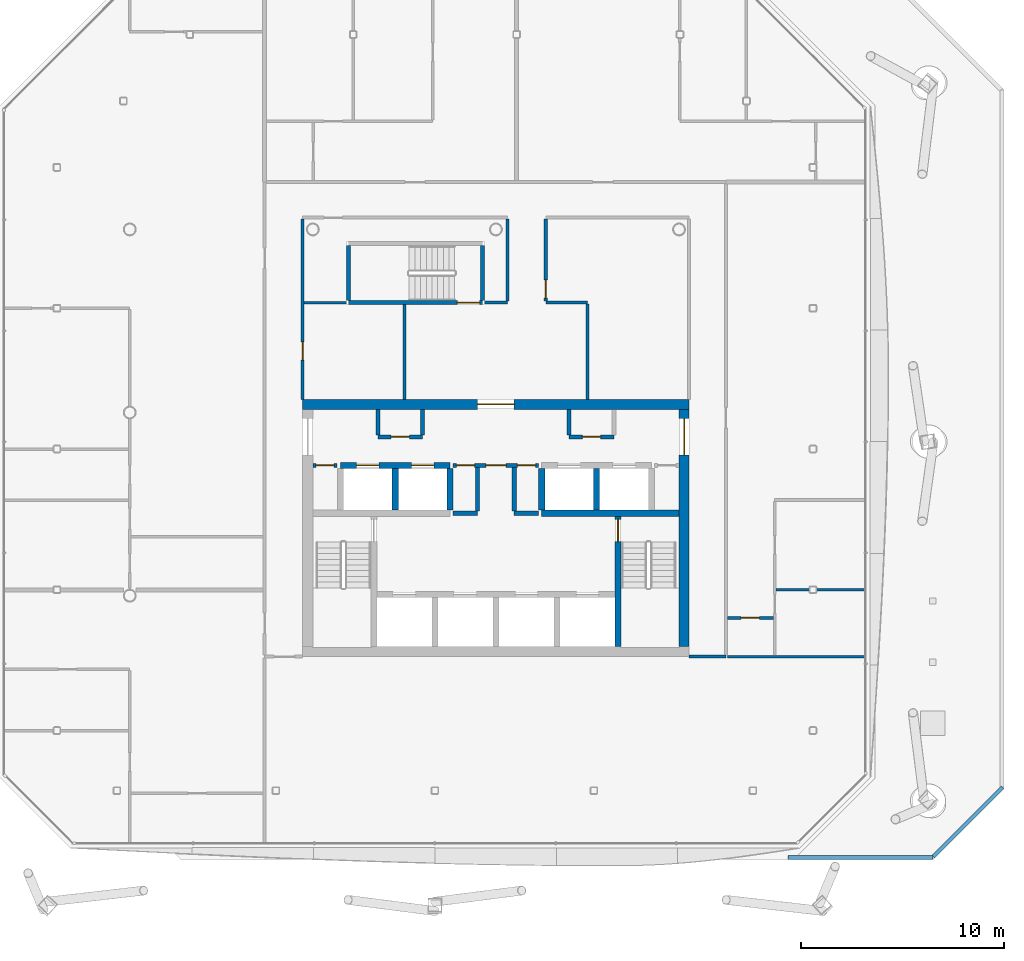
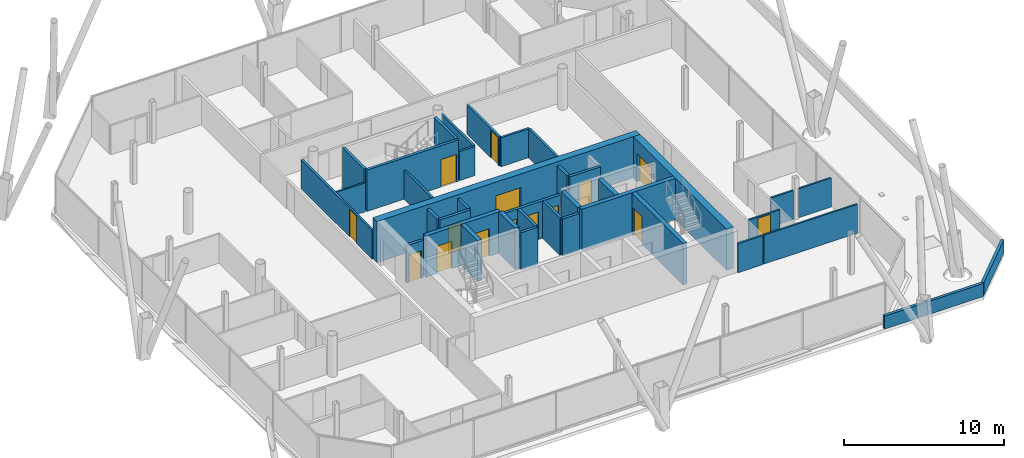
# One storey, part 14 of 21: 38 walls, 15 doors, 15 openings.
"""IFC4 building model written with IfcOpenShell, lengths in metres."""

from ifc_helpers import new_model, si_unit, direction, frame, frame_2d, origin, place, context, subcontext, project, spatial, rectangle, extrude, material, layer, layer_set, type_object, element, fill, save


model = new_model("IFC4")

# Units and contexts
model_context = context("Model", 3, precision=1e-05, world=origin(), true_north=direction((0.0, 1.0)))
body_context = subcontext(model_context, "Body", "Model", "MODEL_VIEW")
ifc_project = project(units=[si_unit("LENGTHUNIT", "METRE"), si_unit("AREAUNIT", "SQUARE_METRE"), si_unit("VOLUMEUNIT", "CUBIC_METRE"), si_unit("PLANEANGLEUNIT", "RADIAN"), si_unit("MASSUNIT", "GRAM", prefix="KILO")], contexts=[model_context])

# Site, building, storey
site_placement = place(None, origin())
site = spatial("IfcSite", under=ifc_project, at=site_placement, CompositionType="ELEMENT")
building_placement = place(site_placement, origin())
building = spatial("IfcBuilding", under=site, at=building_placement, Name="Tskaro Facet Tower", CompositionType="ELEMENT")
storey_placement = place(building_placement, frame((0.0, 0.0, 172.199951171875)))
storey = spatial("IfcBuildingStorey", under=building, at=storey_placement, Name="L42", CompositionType="ELEMENT", Elevation=172.199951171875)

# Wall
ifc_material_1 = material(Name="Concrete C60/75", Category="concrete")
ifc_layer_1 = layer(ifc_material_1, 0.300048828125, Name="Concrete C60/75")
ifc_layer_set_1 = layer_set([ifc_layer_1], Name="Concrete C60/75")
wall_type_1 = type_object("IfcWallType", Name="CORE-SHAFT", PredefinedType="SHEAR", material=ifc_layer_set_1)
wall_1_placement = place(storey_placement, frame((2.25, -4.949951171875, 0.0), z_axis=(0.0, 0.0, 1.0), x_axis=(1.0, 0.0, 0.0)))
element("IfcWall", 1, at=wall_1_placement, inside=storey, type_object=wall_type_1, Name="Shaft wall W019", PredefinedType="SHEAR", context=body_context, shape_type="SweptSolid", body=[
    extrude(rectangle(XDim=6.75, YDim=0.300048828125, at=frame_2d((3.375, 0.0))), origin(), (0.0, 0.0, 1.0), 3.150146484375),
])

# Wall, openings, doors
wall_2_placement = place(storey_placement, frame((-7.64990234375, -2.60009765625, 0.0), z_axis=(0.0, 0.0, 1.0), x_axis=(1.0, 0.0, 0.0)))
wall_2 = element("IfcWall", 2, at=wall_2_placement, inside=storey, type_object=wall_type_1, Name="Shaft wall W023", PredefinedType="SHEAR", context=body_context, shape_type="SweptSolid", body=[
    extrude(rectangle(XDim=5.39990234375, YDim=0.300048828125, at=frame_2d((2.699951171875, 0.0))), origin(), (0.0, 0.0, 1.0), 3.150146484375),
])
opening_1_placement = place(wall_2_placement, frame((0.800048828125, 0.0, 0.0)))
opening_1 = element("IfcOpeningElement", 3, at=opening_1_placement, cuts=wall_2, Name="Opening LD-HB1", PredefinedType="OPENING", context=body_context, shape_type="SweptSolid", body=[
    extrude(rectangle(XDim=1.10009765625, YDim=2.10009765625, at=frame_2d((0.550048828125, 1.050048828125))), frame((0.0, 0.159912109375, 0.0), z_axis=(0.0, -1.0, 0.0), x_axis=(1.0, 0.0, 0.0)), (0.0, 0.0, 1.0), 0.320068359375),
])
opening_2_placement = place(wall_2_placement, frame((3.5, 0.0, 0.0)))
opening_2 = element("IfcOpeningElement", 4, at=opening_2_placement, cuts=wall_2, Name="Opening LD-HB2", PredefinedType="OPENING", context=body_context, shape_type="SweptSolid", body=[
    extrude(rectangle(XDim=1.10009765625, YDim=2.10009765625, at=frame_2d((0.550048828125, 1.050048828125))), frame((0.0, 0.159912109375, 0.0), z_axis=(0.0, -1.0, 0.0), x_axis=(1.0, 0.0, 0.0)), (0.0, 0.0, 1.0), 0.320068359375),
])
ifc_material_2 = material(Name="Stainless steel", Category="steel")
door_type_1 = type_object("IfcDoorType", Name="D-LANDING", OperationType="NOTDEFINED", PredefinedType="DOOR", material=ifc_material_2)
door_1_placement = place(opening_1_placement, origin())
door_1 = element("IfcDoor", 5, at=door_1_placement, inside=storey, type_object=door_type_1, Name="Landing door HB1", OperationType="DOUBLE_DOOR_SLIDING", OverallHeight=2.10009765625, OverallWidth=1.10009765625, PredefinedType="DOOR", context=body_context, shape_type="SweptSolid", body=[
    extrude(rectangle(XDim=1.10009765625, YDim=2.10009765625, at=frame_2d((0.550048828125, 1.050048828125))), frame((0.0, 0.02490234375, 0.0), z_axis=(0.0, -1.0, 0.0), x_axis=(1.0, 0.0, 0.0)), (0.0, 0.0, 1.0), 0.050048828125),
])
fill(opening_1, door_1)
door_2_placement = place(opening_2_placement, origin())
door_2 = element("IfcDoor", 6, at=door_2_placement, inside=storey, type_object=door_type_1, Name="Landing door HB2", OperationType="DOUBLE_DOOR_SLIDING", OverallHeight=2.10009765625, OverallWidth=1.10009765625, PredefinedType="DOOR", context=body_context, shape_type="SweptSolid", body=[
    extrude(rectangle(XDim=1.10009765625, YDim=2.10009765625, at=frame_2d((0.550048828125, 1.050048828125))), frame((0.0, 0.02490234375, 0.0), z_axis=(0.0, -1.0, 0.0), x_axis=(1.0, 0.0, 0.0)), (0.0, 0.0, 1.0), 0.050048828125),
])
fill(opening_2, door_2)

# Walls
for number, where, z_axis, x_axis, name in (
    (7, (-4.949951171875, -4.800048828125, 0.0), (0.0, 0.0, 1.0), (0.0, 1.0, 0.0), "Shaft wall W061"),
    (8, (-2.25, -4.800048828125, 0.0), (0.0, 0.0, 1.0), (0.0, 1.0, 0.0), "Shaft wall W066"),
    (9, (2.25, -4.800048828125, 0.0), (0.0, 0.0, 1.0), (0.0, 1.0, 0.0), "Shaft wall W074"),
    (10, (4.949951171875, -4.800048828125, 0.0), (0.0, 0.0, 1.0), (0.0, 1.0, 0.0), "Shaft wall W079"),
):
    element("IfcWall", number, at=place(storey_placement, frame(where, z_axis=z_axis, x_axis=x_axis)), inside=storey, type_object=wall_type_1, Name=name, PredefinedType="SHEAR", context=body_context, shape_type="SweptSolid", body=[
        extrude(rectangle(XDim=2.050048828125, YDim=0.300048828125, at=frame_2d((1.02490234375, 0.0))), origin(), (0.0, 0.0, 1.0), 3.150146484375),
    ])

# Wall, opening, door
wall_3_placement = place(storey_placement, frame((6.0, -5.10009765625, 0.0), z_axis=(0.0, 0.0, 1.0), x_axis=(0.0, -1.0, 0.0)))
wall_3 = element("IfcWall", 11, at=wall_3_placement, inside=storey, type_object=wall_type_1, Name="Shaft wall W081", PredefinedType="SHEAR", context=body_context, shape_type="SweptSolid", body=[
    extrude(rectangle(XDim=6.39990234375, YDim=0.300048828125, at=frame_2d((3.199951171875, 0.0))), origin(), (0.0, 0.0, 1.0), 3.150146484375),
])
opening_3_placement = place(wall_3_placement, frame((0.14990234375, 0.0, 0.0)))
opening_3 = element("IfcOpeningElement", 12, at=opening_3_placement, cuts=wall_3, Name="Opening ST-2-D1", PredefinedType="OPENING", context=body_context, shape_type="SweptSolid", body=[
    extrude(rectangle(XDim=1.10009765625, YDim=2.10009765625, at=frame_2d((0.550048828125, 1.050048828125))), frame((0.0, 0.159912109375, 0.0), z_axis=(0.0, -1.0, 0.0), x_axis=(1.0, 0.0, 0.0)), (0.0, 0.0, 1.0), 0.320068359375),
])
ifc_material_3 = material(Name="Steel", Category="steel")
door_type_2 = type_object("IfcDoorType", Name="D-STAIR", OperationType="NOTDEFINED", PredefinedType="DOOR", material=ifc_material_3)
door_3_placement = place(opening_3_placement, origin())
door_3 = element("IfcDoor", 13, at=door_3_placement, inside=storey, type_object=door_type_2, Name="Stair door 2", OperationType="SINGLE_SWING_RIGHT", OverallHeight=2.10009765625, OverallWidth=1.10009765625, PredefinedType="DOOR", context=body_context, shape_type="SweptSolid", body=[
    extrude(rectangle(XDim=1.10009765625, YDim=2.10009765625, at=frame_2d((0.550048828125, 1.050048828125))), frame((0.0, 0.02490234375, 0.0), z_axis=(0.0, -1.0, 0.0), x_axis=(1.0, 0.0, 0.0)), (0.0, 0.0, 1.0), 0.050048828125),
])
fill(opening_3, door_3)

# Walls
ifc_material_4 = material(Name="Concrete C20/25", Category="concrete")
ifc_layer_2 = layer(ifc_material_4, 0.199951171875, Name="Concrete C20/25")
ifc_layer_set_2 = layer_set([ifc_layer_2], Name="Concrete C20/25")
wall_type_2 = type_object("IfcWallType", Name="CORE-WALL", PredefinedType="SOLIDWALL", material=ifc_layer_set_2)
for number, where, z_axis, x_axis, name in (
    (14, (-2.10009765625, -4.949951171875, 0.0), (0.0, 0.0, 1.0), (1.0, 0.0, 0.0), "Core room wall W017"),
    (15, (0.89990234375, -4.949951171875, 0.0), (0.0, 0.0, 1.0), (1.0, 0.0, 0.0), "Core room wall W018"),
):
    element("IfcWall", number, at=place(storey_placement, frame(where, z_axis=z_axis, x_axis=x_axis)), inside=storey, type_object=wall_type_2, Name=name, PredefinedType="SOLIDWALL", context=body_context, shape_type="SweptSolid", body=[
        extrude(rectangle(XDim=1.2001953125, YDim=0.199951171875, at=frame_2d((0.60009765625, 0.0))), origin(), (0.0, 0.0, 1.0), 2.85009765625),
    ])

# Wall, opening, door
wall_4_placement = place(storey_placement, frame((-7.800048828125, -2.60009765625, 0.0), z_axis=(0.0, 0.0, 1.0), x_axis=(-1.0, 0.0, 0.0)))
wall_4 = element("IfcWall", 16, at=wall_4_placement, inside=storey, type_object=wall_type_2, Name="Core room wall W022", PredefinedType="SOLIDWALL", context=body_context, shape_type="SweptSolid", body=[
    extrude(rectangle(XDim=1.199951171875, YDim=0.199951171875, at=frame_2d((0.60009765625, 0.0))), origin(), (0.0, 0.0, 1.0), 2.85009765625),
])
opening_4_placement = place(wall_4_placement, frame((0.14990234375, 0.0, 0.0)))
opening_4 = element("IfcOpeningElement", 17, at=opening_4_placement, cuts=wall_4, Name="Opening T12-D12", PredefinedType="OPENING", context=body_context, shape_type="SweptSolid", body=[
    extrude(rectangle(XDim=0.89990234375, YDim=2.10009765625, at=frame_2d((0.449951171875, 1.050048828125))), frame((0.0, 0.10986328125, 0.0), z_axis=(0.0, -1.0, 0.0), x_axis=(1.0, 0.0, 0.0)), (0.0, 0.0, 1.0), 0.219970703125),
])
ifc_material_5 = material(Name="Timber", Category="wood")
door_type_3 = type_object("IfcDoorType", Name="D-ROOM", OperationType="NOTDEFINED", PredefinedType="DOOR", material=ifc_material_5)
door_4_placement = place(opening_4_placement, origin())
door_4 = element("IfcDoor", 18, at=door_4_placement, inside=storey, type_object=door_type_3, Name="Door T12-D12", OperationType="SINGLE_SWING_RIGHT", OverallHeight=2.10009765625, OverallWidth=0.89990234375, PredefinedType="DOOR", context=body_context, shape_type="SweptSolid", body=[
    extrude(rectangle(XDim=0.89990234375, YDim=2.10009765625, at=frame_2d((0.449951171875, 1.050048828125))), frame((0.0, 0.02490234375, 0.0), z_axis=(0.0, -1.0, 0.0), x_axis=(1.0, 0.0, 0.0)), (0.0, 0.0, 1.0), 0.050048828125),
])
fill(opening_4, door_4)

# Wall, openings, doors
wall_5_placement = place(storey_placement, frame((2.10009765625, -2.60009765625, 0.0), z_axis=(0.0, 0.0, 1.0), x_axis=(-1.0, 0.0, 0.0)))
wall_5 = element("IfcWall", 19, at=wall_5_placement, inside=storey, type_object=wall_type_2, Name="Core room wall W024", PredefinedType="SOLIDWALL", context=body_context, shape_type="SweptSolid", body=[
    extrude(rectangle(XDim=4.2001953125, YDim=0.199951171875, at=frame_2d((2.10009765625, 0.0))), origin(), (0.0, 0.0, 1.0), 2.85009765625),
])
opening_5_placement = place(wall_5_placement, frame((1.60009765625, 0.0, 0.0)))
opening_5 = element("IfcOpeningElement", 20, at=opening_5_placement, cuts=wall_5, Name="Opening FL-D1", PredefinedType="OPENING", context=body_context, shape_type="SweptSolid", body=[
    extrude(rectangle(XDim=1.0, YDim=2.10009765625, at=frame_2d((0.5, 1.050048828125))), frame((0.0, 0.10986328125, 0.0), z_axis=(0.0, -1.0, 0.0), x_axis=(1.0, 0.0, 0.0)), (0.0, 0.0, 1.0), 0.219970703125),
])
opening_6_placement = place(wall_5_placement, frame((3.14990234375, 0.0, 0.0)))
opening_6 = element("IfcOpeningElement", 21, at=opening_6_placement, cuts=wall_5, Name="Opening T12-D13", PredefinedType="OPENING", context=body_context, shape_type="SweptSolid", body=[
    extrude(rectangle(XDim=0.89990234375, YDim=2.10009765625, at=frame_2d((0.449951171875, 1.050048828125))), frame((0.0, 0.10986328125, 0.0), z_axis=(0.0, -1.0, 0.0), x_axis=(1.0, 0.0, 0.0)), (0.0, 0.0, 1.0), 0.219970703125),
])
opening_7_placement = place(wall_5_placement, frame((0.14990234375, 0.0, 0.0)))
opening_7 = element("IfcOpeningElement", 22, at=opening_7_placement, cuts=wall_5, Name="Opening T12-D14", PredefinedType="OPENING", context=body_context, shape_type="SweptSolid", body=[
    extrude(rectangle(XDim=0.89990234375, YDim=2.10009765625, at=frame_2d((0.449951171875, 1.050048828125))), frame((0.0, 0.10986328125, 0.0), z_axis=(0.0, -1.0, 0.0), x_axis=(1.0, 0.0, 0.0)), (0.0, 0.0, 1.0), 0.219970703125),
])
door_type_4 = type_object("IfcDoorType", Name="D-LOBBY", OperationType="NOTDEFINED", PredefinedType="DOOR", material=ifc_material_3)
door_5_placement = place(opening_5_placement, origin())
door_5 = element("IfcDoor", 23, at=door_5_placement, inside=storey, type_object=door_type_4, Name="Lobby door FL", OperationType="SINGLE_SWING_RIGHT", OverallHeight=2.10009765625, OverallWidth=1.0, PredefinedType="DOOR", context=body_context, shape_type="SweptSolid", body=[
    extrude(rectangle(XDim=1.0, YDim=2.10009765625, at=frame_2d((0.5, 1.050048828125))), frame((0.0, 0.02490234375, 0.0), z_axis=(0.0, -1.0, 0.0), x_axis=(1.0, 0.0, 0.0)), (0.0, 0.0, 1.0), 0.050048828125),
])
fill(opening_5, door_5)
door_6_placement = place(opening_6_placement, origin())
door_6 = element("IfcDoor", 24, at=door_6_placement, inside=storey, type_object=door_type_3, Name="Door T12-D13", OperationType="SINGLE_SWING_RIGHT", OverallHeight=2.10009765625, OverallWidth=0.89990234375, PredefinedType="DOOR", context=body_context, shape_type="SweptSolid", body=[
    extrude(rectangle(XDim=0.89990234375, YDim=2.10009765625, at=frame_2d((0.449951171875, 1.050048828125))), frame((0.0, 0.02490234375, 0.0), z_axis=(0.0, -1.0, 0.0), x_axis=(1.0, 0.0, 0.0)), (0.0, 0.0, 1.0), 0.050048828125),
])
fill(opening_6, door_6)
door_7_placement = place(opening_7_placement, origin())
door_7 = element("IfcDoor", 25, at=door_7_placement, inside=storey, type_object=door_type_3, Name="Door T12-D14", OperationType="SINGLE_SWING_RIGHT", OverallHeight=2.10009765625, OverallWidth=0.89990234375, PredefinedType="DOOR", context=body_context, shape_type="SweptSolid", body=[
    extrude(rectangle(XDim=0.89990234375, YDim=2.10009765625, at=frame_2d((0.449951171875, 1.050048828125))), frame((0.0, 0.02490234375, 0.0), z_axis=(0.0, -1.0, 0.0), x_axis=(1.0, 0.0, 0.0)), (0.0, 0.0, 1.0), 0.050048828125),
])
fill(opening_7, door_7)

# Wall, opening, door
wall_6_placement = place(storey_placement, frame((-5.800048828125, -1.199951171875, 0.0), z_axis=(0.0, 0.0, 1.0), x_axis=(1.0, 0.0, 0.0)))
wall_6 = element("IfcWall", 26, at=wall_6_placement, inside=storey, type_object=wall_type_2, Name="Core room wall W029", PredefinedType="SOLIDWALL", context=body_context, shape_type="SweptSolid", body=[
    extrude(rectangle(XDim=2.199951171875, YDim=0.199951171875, at=frame_2d((1.10009765625, 0.0))), origin(), (0.0, 0.0, 1.0), 2.85009765625),
])
opening_8_placement = place(wall_6_placement, frame((0.64990234375, 0.0, 0.0)))
opening_8 = element("IfcOpeningElement", 27, at=opening_8_placement, cuts=wall_6, Name="Opening T12-D17", PredefinedType="OPENING", context=body_context, shape_type="SweptSolid", body=[
    extrude(rectangle(XDim=0.89990234375, YDim=2.10009765625, at=frame_2d((0.449951171875, 1.050048828125))), frame((0.0, 0.10986328125, 0.0), z_axis=(0.0, -1.0, 0.0), x_axis=(1.0, 0.0, 0.0)), (0.0, 0.0, 1.0), 0.219970703125),
])
door_8_placement = place(opening_8_placement, origin())
door_8 = element("IfcDoor", 28, at=door_8_placement, inside=storey, type_object=door_type_3, Name="Door T12-D17", OperationType="SINGLE_SWING_LEFT", OverallHeight=2.10009765625, OverallWidth=0.89990234375, PredefinedType="DOOR", context=body_context, shape_type="SweptSolid", body=[
    extrude(rectangle(XDim=0.89990234375, YDim=2.10009765625, at=frame_2d((0.449951171875, 1.050048828125))), frame((0.0, 0.02490234375, 0.0), z_axis=(0.0, -1.0, 0.0), x_axis=(1.0, 0.0, 0.0)), (0.0, 0.0, 1.0), 0.050048828125),
])
fill(opening_8, door_8)

wall_7_placement = place(storey_placement, frame((3.60009765625, -1.199951171875, 0.0), z_axis=(0.0, 0.0, 1.0), x_axis=(1.0, 0.0, 0.0)))
wall_7 = element("IfcWall", 29, at=wall_7_placement, inside=storey, type_object=wall_type_2, Name="Core room wall W030", PredefinedType="SOLIDWALL", context=body_context, shape_type="SweptSolid", body=[
    extrude(rectangle(XDim=2.199951171875, YDim=0.199951171875, at=frame_2d((1.10009765625, 0.0))), origin(), (0.0, 0.0, 1.0), 2.85009765625),
])
opening_9_placement = place(wall_7_placement, frame((0.64990234375, 0.0, 0.0)))
opening_9 = element("IfcOpeningElement", 30, at=opening_9_placement, cuts=wall_7, Name="Opening T12-D18", PredefinedType="OPENING", context=body_context, shape_type="SweptSolid", body=[
    extrude(rectangle(XDim=0.89990234375, YDim=2.10009765625, at=frame_2d((0.449951171875, 1.050048828125))), frame((0.0, 0.10986328125, 0.0), z_axis=(0.0, -1.0, 0.0), x_axis=(1.0, 0.0, 0.0)), (0.0, 0.0, 1.0), 0.219970703125),
])
door_9_placement = place(opening_9_placement, origin())
door_9 = element("IfcDoor", 31, at=door_9_placement, inside=storey, type_object=door_type_3, Name="Door T12-D18", OperationType="SINGLE_SWING_LEFT", OverallHeight=2.10009765625, OverallWidth=0.89990234375, PredefinedType="DOOR", context=body_context, shape_type="SweptSolid", body=[
    extrude(rectangle(XDim=0.89990234375, YDim=2.10009765625, at=frame_2d((0.449951171875, 1.050048828125))), frame((0.0, 0.02490234375, 0.0), z_axis=(0.0, -1.0, 0.0), x_axis=(1.0, 0.0, 0.0)), (0.0, 0.0, 1.0), 0.050048828125),
])
fill(opening_9, door_9)

# Walls
for number, where, z_axis, x_axis, name in (
    (32, (-5.800048828125, -1.10009765625, 0.0), (0.0, 0.0, 1.0), (0.0, 1.0, 0.0), "Core room wall W060"),
    (33, (-3.60009765625, -1.10009765625, 0.0), (0.0, 0.0, 1.0), (0.0, 1.0, 0.0), "Core room wall W063"),
):
    element("IfcWall", number, at=place(storey_placement, frame(where, z_axis=z_axis, x_axis=x_axis)), inside=storey, type_object=wall_type_2, Name=name, PredefinedType="SOLIDWALL", context=body_context, shape_type="SweptSolid", body=[
        extrude(rectangle(XDim=1.25, YDim=0.199951171875, at=frame_2d((0.625, 0.0))), origin(), (0.0, 0.0, 1.0), 2.85009765625),
    ])
for number, where, z_axis, x_axis, name in (
    (34, (-0.89990234375, -4.85009765625, 0.0), (0.0, 0.0, 1.0), (0.0, 1.0, 0.0), "Core room wall W067"),
    (35, (0.89990234375, -4.85009765625, 0.0), (0.0, 0.0, 1.0), (0.0, 1.0, 0.0), "Core room wall W071"),
):
    element("IfcWall", number, at=place(storey_placement, frame(where, z_axis=z_axis, x_axis=x_axis)), inside=storey, type_object=wall_type_2, Name=name, PredefinedType="SOLIDWALL", context=body_context, shape_type="SweptSolid", body=[
        extrude(rectangle(XDim=2.150146484375, YDim=0.199951171875, at=frame_2d((1.0751953125, 0.0))), origin(), (0.0, 0.0, 1.0), 2.85009765625),
    ])
wall_8_placement = place(storey_placement, frame((3.60009765625, -1.10009765625, 0.0), z_axis=(0.0, 0.0, 1.0), x_axis=(0.0, 1.0, 0.0)))
element("IfcWall", 36, at=wall_8_placement, inside=storey, type_object=wall_type_2, Name="Core room wall W077", PredefinedType="SOLIDWALL", context=body_context, shape_type="SweptSolid", body=[
    extrude(rectangle(XDim=1.25, YDim=0.199951171875, at=frame_2d((0.625, 0.0))), origin(), (0.0, 0.0, 1.0), 2.85009765625),
])

# Wall, opening, door
ifc_material_6 = material(Name="Concrete C40/50", Category="concrete")
ifc_layer_3 = layer(ifc_material_6, 0.5, Name="Concrete C40/50")
ifc_layer_set_3 = layer_set([ifc_layer_3], Name="Concrete C40/50")
wall_type_3 = type_object("IfcWallType", Name="Core wall 500", PredefinedType="SHEAR", material=ifc_layer_set_3)
wall_9_placement = place(storey_placement, frame((-9.5, 0.39990234375, 0.0), z_axis=(0.0, 0.0, 1.0), x_axis=(1.0, 0.0, 0.0)))
wall_9 = element("IfcWall", 37, at=wall_9_placement, inside=storey, type_object=wall_type_3, Name="Core wall CW-Z3N", PredefinedType="SHEAR", context=body_context, shape_type="SweptSolid", body=[
    extrude(rectangle(XDim=19.0, YDim=0.5, at=frame_2d((9.5, 0.0))), origin(), (0.0, 0.0, 1.0), 3.150146484375),
])
opening_10_placement = place(wall_9_placement, frame((8.60009765625, 0.0, 0.0)))
opening_10 = element("IfcOpeningElement", 38, at=opening_10_placement, cuts=wall_9, Name="Opening T12-D21", PredefinedType="OPENING", context=body_context, shape_type="SweptSolid", body=[
    extrude(rectangle(XDim=1.800048828125, YDim=2.10009765625, at=frame_2d((0.89990234375, 1.050048828125))), frame((0.0, 0.260009765625, 0.0), z_axis=(0.0, -1.0, 0.0), x_axis=(1.0, 0.0, 0.0)), (0.0, 0.0, 1.0), 0.52001953125),
])
door_type_5 = type_object("IfcDoorType", Name="D-CORE-PAIR", OperationType="NOTDEFINED", PredefinedType="DOOR", material=ifc_material_3)
door_10_placement = place(opening_10_placement, origin())
door_10 = element("IfcDoor", 39, at=door_10_placement, inside=storey, type_object=door_type_5, Name="Door T12-D21", OperationType="DOUBLE_DOOR_SINGLE_SWING", OverallHeight=2.10009765625, OverallWidth=1.800048828125, PredefinedType="DOOR", context=body_context, shape_type="SweptSolid", body=[
    extrude(rectangle(XDim=1.800048828125, YDim=2.10009765625, at=frame_2d((0.89990234375, 1.050048828125))), frame((0.0, 0.02490234375, 0.0), z_axis=(0.0, -1.0, 0.0), x_axis=(1.0, 0.0, 0.0)), (0.0, 0.0, 1.0), 0.050048828125),
])
fill(opening_10, door_10)

wall_10_placement = place(storey_placement, frame((9.25, -11.5, 0.0), z_axis=(0.0, 0.0, 1.0), x_axis=(0.0, 1.0, 0.0)))
wall_10 = element("IfcWall", 40, at=wall_10_placement, inside=storey, type_object=wall_type_3, Name="Core wall CW-Z3E", PredefinedType="SHEAR", context=body_context, shape_type="SweptSolid", body=[
    extrude(rectangle(XDim=11.64990234375, YDim=0.5, at=frame_2d((5.824951171875, 0.0))), origin(), (0.0, 0.0, 1.0), 3.150146484375),
])
opening_11_placement = place(wall_10_placement, frame((9.39990234375, 0.0, 0.0)))
opening_11 = element("IfcOpeningElement", 41, at=opening_11_placement, cuts=wall_10, Name="Opening T12-D19", PredefinedType="OPENING", context=body_context, shape_type="SweptSolid", body=[
    extrude(rectangle(XDim=1.800048828125, YDim=2.10009765625, at=frame_2d((0.89990234375, 1.050048828125))), frame((0.0, 0.260009765625, 0.0), z_axis=(0.0, -1.0, 0.0), x_axis=(1.0, 0.0, 0.0)), (0.0, 0.0, 1.0), 0.52001953125),
])
door_11_placement = place(opening_11_placement, origin())
door_11 = element("IfcDoor", 42, at=door_11_placement, inside=storey, type_object=door_type_5, Name="Door T12-D19", OperationType="DOUBLE_DOOR_SINGLE_SWING", OverallHeight=2.10009765625, OverallWidth=1.800048828125, PredefinedType="DOOR", context=body_context, shape_type="SweptSolid", body=[
    extrude(rectangle(XDim=1.800048828125, YDim=2.10009765625, at=frame_2d((0.89990234375, 1.050048828125))), frame((0.0, 0.02490234375, 0.0), z_axis=(0.0, -1.0, 0.0), x_axis=(1.0, 0.0, 0.0)), (0.0, 0.0, 1.0), 0.050048828125),
])
fill(opening_11, door_11)

# Wall
ifc_material_7 = material(Name="Gypsum board on steel studs", Category="steel")
ifc_layer_4 = layer(ifc_material_7, 0.125, Name="Gypsum board on steel studs")
ifc_layer_set_4 = layer_set([ifc_layer_4], Name="Gypsum board on steel studs")
wall_type_4 = type_object("IfcWallType", Name="PART", PredefinedType="PARTITIONING", material=ifc_layer_set_4)
wall_11_placement = place(storey_placement, frame((11.375, -12.0, 0.0), z_axis=(0.0, 0.0, 1.0), x_axis=(1.0, 0.0, 0.0)))
element("IfcWall", 43, at=wall_11_placement, inside=storey, type_object=wall_type_4, Name="Partition W007", PredefinedType="PARTITIONING", context=body_context, shape_type="SweptSolid", body=[
    extrude(rectangle(XDim=6.75, YDim=0.125, at=frame_2d((3.375, 0.0))), origin(), (0.0, 0.0, 1.0), 2.2099609375),
])

# Wall, opening, door
wall_12_placement = place(storey_placement, frame((13.637451171875, -10.10009765625, 0.0), z_axis=(0.0, 0.0, 1.0), x_axis=(-1.0, 0.0, 0.0)))
wall_12 = element("IfcWall", 44, at=wall_12_placement, inside=storey, type_object=wall_type_4, Name="Partition W008", PredefinedType="PARTITIONING", context=body_context, shape_type="SweptSolid", body=[
    extrude(rectangle(XDim=2.262451171875, YDim=0.125, at=frame_2d((1.13134765625, 0.0))), origin(), (0.0, 0.0, 1.0), 2.2099609375),
])
opening_12_placement = place(wall_12_placement, frame((0.6875, 0.0, 0.0)))
opening_12 = element("IfcOpeningElement", 45, at=opening_12_placement, cuts=wall_12, Name="Opening T12-D06", PredefinedType="OPENING", context=body_context, shape_type="SweptSolid", body=[
    extrude(rectangle(XDim=0.89990234375, YDim=2.10009765625, at=frame_2d((0.449951171875, 1.050048828125))), frame((0.0, 0.072509765625, 0.0), z_axis=(0.0, -1.0, 0.0), x_axis=(1.0, 0.0, 0.0)), (0.0, 0.0, 1.0), 0.14501953125),
])
door_12_placement = place(opening_12_placement, origin())
door_12 = element("IfcDoor", 46, at=door_12_placement, inside=storey, type_object=door_type_3, Name="Door T12-D06", OperationType="SINGLE_SWING_RIGHT", OverallHeight=2.10009765625, OverallWidth=0.89990234375, PredefinedType="DOOR", context=body_context, shape_type="SweptSolid", body=[
    extrude(rectangle(XDim=0.89990234375, YDim=2.10009765625, at=frame_2d((0.449951171875, 1.050048828125))), frame((0.0, 0.02490234375, 0.0), z_axis=(0.0, -1.0, 0.0), x_axis=(1.0, 0.0, 0.0)), (0.0, 0.0, 1.0), 0.050048828125),
])
fill(opening_12, door_12)

# Walls
wall_13_placement = place(storey_placement, frame((13.762451171875, -8.715087890625, 0.0), z_axis=(0.0, 0.0, 1.0), x_axis=(1.0, 0.0, 0.0)))
element("IfcWall", 47, at=wall_13_placement, inside=storey, type_object=wall_type_4, Name="Partition W013", PredefinedType="PARTITIONING", context=body_context, shape_type="SweptSolid", body=[
    extrude(rectangle(XDim=1.6455078125, YDim=0.125, at=frame_2d((0.82275390625, 0.0))), origin(), (0.0, 0.0, 1.0), 2.2099609375),
])
wall_14_placement = place(storey_placement, frame((15.758056640625, -8.715087890625, 0.0), z_axis=(0.0, 0.0, 1.0), x_axis=(1.0, 0.0, 0.0)))
element("IfcWall", 48, at=wall_14_placement, inside=storey, type_object=wall_type_4, Name="Partition W014", PredefinedType="PARTITIONING", context=body_context, shape_type="SweptSolid", body=[
    extrude(rectangle(XDim=2.366943359375, YDim=0.125, at=frame_2d((1.18359375, 0.0))), origin(), (0.0, 0.0, 1.0), 2.2099609375),
])
wall_15_placement = place(storey_placement, frame((-9.425048828125, 5.39990234375, 0.0), z_axis=(0.0, 0.0, 1.0), x_axis=(1.0, 0.0, 0.0)))
element("IfcWall", 49, at=wall_15_placement, inside=storey, type_object=wall_type_4, Name="Partition W033", PredefinedType="PARTITIONING", context=body_context, shape_type="SweptSolid", body=[
    extrude(rectangle(XDim=2.074951171875, YDim=0.125, at=frame_2d((1.03759765625, 0.0))), origin(), (0.0, 0.0, 1.0), 2.2099609375),
])
ifc_layer_5 = layer(ifc_material_7, 0.14990234375, Name="Gypsum board on steel studs")
ifc_layer_set_5 = layer_set([ifc_layer_5], Name="Gypsum board on steel studs")
wall_type_5 = type_object("IfcWallType", Name="PART-CORR", PredefinedType="PARTITIONING", material=ifc_layer_set_5)
wall_16_placement = place(storey_placement, frame((9.5, -12.0, 0.0), z_axis=(0.0, 0.0, 1.0), x_axis=(1.0, 0.0, 0.0)))
element("IfcWall", 50, at=wall_16_placement, inside=storey, type_object=wall_type_5, Name="Corridor wall W006", PredefinedType="PARTITIONING", context=body_context, shape_type="SweptSolid", body=[
    extrude(rectangle(XDim=1.800048828125, YDim=0.14990234375, at=frame_2d((0.89990234375, 0.0))), origin(), (0.0, 0.0, 1.0), 2.2099609375),
])
wall_17_placement = place(storey_placement, frame((-0.550048828125, 5.39990234375, 0.0), z_axis=(0.0, 0.0, 1.0), x_axis=(1.0, 0.0, 0.0)))
element("IfcWall", 51, at=wall_17_placement, inside=storey, type_object=wall_type_5, Name="Corridor wall W035", PredefinedType="PARTITIONING", context=body_context, shape_type="SweptSolid", body=[
    extrude(rectangle(XDim=1.125, YDim=0.14990234375, at=frame_2d((0.5625, 0.0))), origin(), (0.0, 0.0, 1.0), 2.2099609375),
])
wall_18_placement = place(storey_placement, frame((2.449951171875, 5.39990234375, 0.0), z_axis=(0.0, 0.0, 1.0), x_axis=(1.0, 0.0, 0.0)))
element("IfcWall", 52, at=wall_18_placement, inside=storey, type_object=wall_type_5, Name="Corridor wall W036", PredefinedType="PARTITIONING", context=body_context, shape_type="SweptSolid", body=[
    extrude(rectangle(XDim=2.050048828125, YDim=0.14990234375, at=frame_2d((1.02490234375, 0.0))), origin(), (0.0, 0.0, 1.0), 2.2099609375),
])

# Wall, opening, door
wall_19_placement = place(storey_placement, frame((-9.5, 9.5, 0.0), z_axis=(0.0, 0.0, 1.0), x_axis=(0.0, -1.0, 0.0)))
wall_19 = element("IfcWall", 53, at=wall_19_placement, inside=storey, type_object=wall_type_5, Name="Corridor wall W053", PredefinedType="PARTITIONING", context=body_context, shape_type="SweptSolid", body=[
    extrude(rectangle(XDim=8.85009765625, YDim=0.14990234375, at=frame_2d((4.425048828125, 0.0))), origin(), (0.0, 0.0, 1.0), 2.2099609375),
])
opening_13_placement = place(wall_19_placement, frame((6.02490234375, 0.0, 0.0)))
opening_13 = element("IfcOpeningElement", 54, at=opening_13_placement, cuts=wall_19, Name="Opening T12-D22", PredefinedType="OPENING", context=body_context, shape_type="SweptSolid", body=[
    extrude(rectangle(XDim=0.89990234375, YDim=2.10009765625, at=frame_2d((0.449951171875, 1.050048828125))), frame((0.0, 0.0849609375, 0.0), z_axis=(0.0, -1.0, 0.0), x_axis=(1.0, 0.0, 0.0)), (0.0, 0.0, 1.0), 0.169921875),
])
door_13_placement = place(opening_13_placement, origin())
door_13 = element("IfcDoor", 55, at=door_13_placement, inside=storey, type_object=door_type_3, Name="Door T12-D22", OperationType="SINGLE_SWING_RIGHT", OverallHeight=2.10009765625, OverallWidth=0.89990234375, PredefinedType="DOOR", context=body_context, shape_type="SweptSolid", body=[
    extrude(rectangle(XDim=0.89990234375, YDim=2.10009765625, at=frame_2d((0.449951171875, 1.050048828125))), frame((0.0, 0.02490234375, 0.0), z_axis=(0.0, -1.0, 0.0), x_axis=(1.0, 0.0, 0.0)), (0.0, 0.0, 1.0), 0.050048828125),
])
fill(opening_13, door_13)

# Walls
wall_20_placement = place(storey_placement, frame((-4.5, 0.64990234375, 0.0), z_axis=(0.0, 0.0, 1.0), x_axis=(0.0, 1.0, 0.0)))
element("IfcWall", 56, at=wall_20_placement, inside=storey, type_object=wall_type_5, Name="Corridor wall W062", PredefinedType="PARTITIONING", context=body_context, shape_type="SweptSolid", body=[
    extrude(rectangle(XDim=4.650146484375, YDim=0.14990234375, at=frame_2d((2.3251953125, 0.0))), origin(), (0.0, 0.0, 1.0), 2.2099609375),
])
wall_21_placement = place(storey_placement, frame((0.574951171875, 5.47509765625, 0.0), z_axis=(0.0, 0.0, 1.0), x_axis=(0.0, 1.0, 0.0)))
element("IfcWall", 57, at=wall_21_placement, inside=storey, type_object=wall_type_5, Name="Corridor wall W070", PredefinedType="PARTITIONING", context=body_context, shape_type="SweptSolid", body=[
    extrude(rectangle(XDim=4.02490234375, YDim=0.14990234375, at=frame_2d((2.012451171875, 0.0))), origin(), (0.0, 0.0, 1.0), 2.2099609375),
])

# Wall, opening, door
wall_22_placement = place(storey_placement, frame((2.449951171875, 9.5, 0.0), z_axis=(0.0, 0.0, 1.0), x_axis=(0.0, -1.0, 0.0)))
wall_22 = element("IfcWall", 58, at=wall_22_placement, inside=storey, type_object=wall_type_5, Name="Corridor wall W075", PredefinedType="PARTITIONING", context=body_context, shape_type="SweptSolid", body=[
    extrude(rectangle(XDim=4.02490234375, YDim=0.14990234375, at=frame_2d((2.012451171875, 0.0))), origin(), (0.0, 0.0, 1.0), 2.2099609375),
])
opening_14_placement = place(wall_22_placement, frame((2.97509765625, 0.0, 0.0)))
opening_14 = element("IfcOpeningElement", 59, at=opening_14_placement, cuts=wall_22, Name="Opening T12-D24", PredefinedType="OPENING", context=body_context, shape_type="SweptSolid", body=[
    extrude(rectangle(XDim=0.89990234375, YDim=2.10009765625, at=frame_2d((0.449951171875, 1.050048828125))), frame((0.0, 0.0849609375, 0.0), z_axis=(0.0, -1.0, 0.0), x_axis=(1.0, 0.0, 0.0)), (0.0, 0.0, 1.0), 0.169921875),
])
door_14_placement = place(opening_14_placement, origin())
door_14 = element("IfcDoor", 60, at=door_14_placement, inside=storey, type_object=door_type_3, Name="Door T12-D24", OperationType="SINGLE_SWING_RIGHT", OverallHeight=2.10009765625, OverallWidth=0.89990234375, PredefinedType="DOOR", context=body_context, shape_type="SweptSolid", body=[
    extrude(rectangle(XDim=0.89990234375, YDim=2.10009765625, at=frame_2d((0.449951171875, 1.050048828125))), frame((0.0, 0.02490234375, 0.0), z_axis=(0.0, -1.0, 0.0), x_axis=(1.0, 0.0, 0.0)), (0.0, 0.0, 1.0), 0.050048828125),
])
fill(opening_14, door_14)

# Walls
wall_23_placement = place(storey_placement, frame((4.5, 0.64990234375, 0.0), z_axis=(0.0, 0.0, 1.0), x_axis=(0.0, 1.0, 0.0)))
element("IfcWall", 61, at=wall_23_placement, inside=storey, type_object=wall_type_5, Name="Corridor wall W078", PredefinedType="PARTITIONING", context=body_context, shape_type="SweptSolid", body=[
    extrude(rectangle(XDim=4.675048828125, YDim=0.14990234375, at=frame_2d((2.33740234375, 0.0))), origin(), (0.0, 0.0, 1.0), 2.2099609375),
])
ifc_material_8 = material(Name="Precast concrete C40/50", Category="concrete")
ifc_layer_6 = layer(ifc_material_8, 0.199951171875, Name="Precast concrete C40/50")
ifc_layer_set_6 = layer_set([ifc_layer_6], Name="Precast concrete C40/50")
wall_type_6 = type_object("IfcWallType", Name="Roof parapet", PredefinedType="PARAPET", material=ifc_layer_set_6)
wall_24_placement = place(storey_placement, frame((14.35595703125, -21.8740234375, 0.0), z_axis=(0.0, 0.0, 1.0), x_axis=(1.0, 0.0, 0.0)))
element("IfcWall", 62, at=wall_24_placement, inside=storey, type_object=wall_type_6, Name="Roof parapet L42 1.1", PredefinedType="PARAPET", context=body_context, shape_type="SweptSolid", body=[
    extrude(rectangle(XDim=7.14013671875, YDim=0.199951171875, at=frame_2d((3.570068359375, 0.0))), origin(), (0.0, 0.0, 1.0), 1.0),
])
wall_25_placement = place(storey_placement, frame((21.49609375, -21.83251953125, 0.0), z_axis=(0.0, 0.0, 1.0), x_axis=(0.707106781187, 0.707106781187, 0.0)))
element("IfcWall", 63, at=wall_25_placement, inside=storey, type_object=wall_type_6, Name="Roof parapet L42 1.2", PredefinedType="PARAPET", context=body_context, shape_type="SweptSolid", body=[
    extrude(rectangle(XDim=4.818603515625, YDim=0.199951171875, at=frame_2d((2.4091796875, 0.0))), origin(), (0.0, 0.0, 1.0), 1.0),
])

# Wall, opening, door
ifc_layer_7 = layer(ifc_material_1, 0.199951171875, Name="Concrete C60/75")
ifc_layer_set_7 = layer_set([ifc_layer_7], Name="Concrete C60/75")
wall_type_7 = type_object("IfcWallType", Name="STAIR-WALL", PredefinedType="SHEAR", material=ifc_layer_set_7)
wall_26_placement = place(storey_placement, frame((-7.25, 5.39990234375, 0.0), z_axis=(0.0, 0.0, 1.0), x_axis=(1.0, 0.0, 0.0)))
wall_26 = element("IfcWall", 64, at=wall_26_placement, inside=storey, type_object=wall_type_7, Name="Stair wall W034", PredefinedType="SHEAR", context=body_context, shape_type="SweptSolid", body=[
    extrude(rectangle(XDim=6.60009765625, YDim=0.199951171875, at=frame_2d((3.300048828125, 0.0))), origin(), (0.0, 0.0, 1.0), 3.150146484375),
])
opening_15_placement = place(wall_26_placement, frame((5.35009765625, 0.0, 0.0)))
opening_15 = element("IfcOpeningElement", 65, at=opening_15_placement, cuts=wall_26, Name="Opening ST-3-D1", PredefinedType="OPENING", context=body_context, shape_type="SweptSolid", body=[
    extrude(rectangle(XDim=1.10009765625, YDim=2.10009765625, at=frame_2d((0.550048828125, 1.050048828125))), frame((0.0, 0.10986328125, 0.0), z_axis=(0.0, -1.0, 0.0), x_axis=(1.0, 0.0, 0.0)), (0.0, 0.0, 1.0), 0.219970703125),
])
door_15_placement = place(opening_15_placement, origin())
door_15 = element("IfcDoor", 66, at=door_15_placement, inside=storey, type_object=door_type_2, Name="Stair door 3", OperationType="SINGLE_SWING_LEFT", OverallHeight=2.10009765625, OverallWidth=1.10009765625, PredefinedType="DOOR", context=body_context, shape_type="SweptSolid", body=[
    extrude(rectangle(XDim=1.10009765625, YDim=2.10009765625, at=frame_2d((0.550048828125, 1.050048828125))), frame((0.0, 0.02490234375, 0.0), z_axis=(0.0, -1.0, 0.0), x_axis=(1.0, 0.0, 0.0)), (0.0, 0.0, 1.0), 0.050048828125),
])
fill(opening_15, door_15)

# Walls
for number, where, z_axis, x_axis, name in (
    (67, (-7.25, 5.5, 0.0), (0.0, 0.0, 1.0), (0.0, 1.0, 0.0), "Stair wall W056"),
    (68, (-0.64990234375, 5.5, 0.0), (0.0, 0.0, 1.0), (0.0, 1.0, 0.0), "Stair wall W068"),
):
    element("IfcWall", number, at=place(storey_placement, frame(where, z_axis=z_axis, x_axis=x_axis)), inside=storey, type_object=wall_type_7, Name=name, PredefinedType="SHEAR", context=body_context, shape_type="SweptSolid", body=[
        extrude(rectangle(XDim=2.699951171875, YDim=0.199951171875, at=frame_2d((1.35009765625, 0.0))), origin(), (0.0, 0.0, 1.0), 3.150146484375),
    ])

save(model, "model.ifc")
